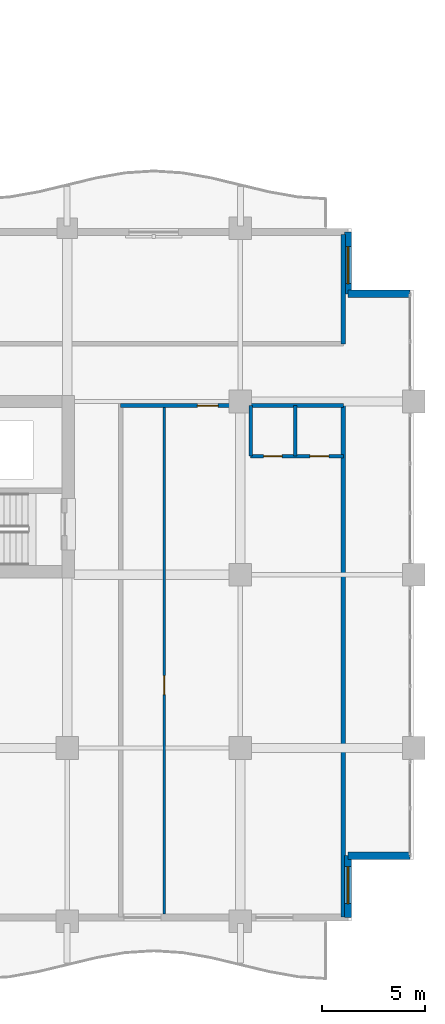
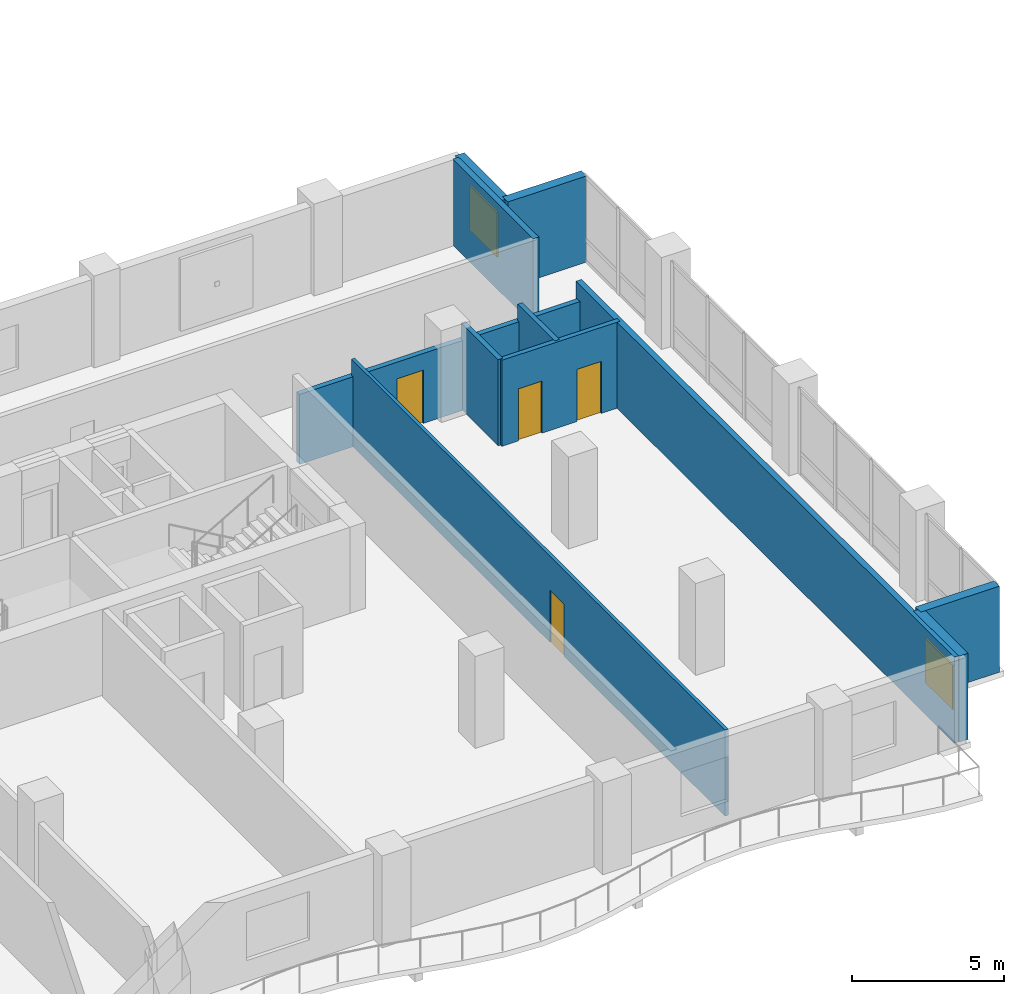
# One storey, part 13 of 20: 11 walls, 4 doors, 2 windows, 6 openings.
"""IFC4 building model written with IfcOpenShell, lengths in metres."""

from ifc_helpers import new_model, si_unit, direction, frame, frame_2d, origin, place, context, subcontext, project, spatial, rectangle, extrude, material, layer, layer_set, type_object, element, fill, save


model = new_model("IFC4")

# Units and contexts
model_context = context("Model", 3, precision=1e-05, world=origin(), true_north=direction((0.0, 1.0)))
body_context = subcontext(model_context, "Body", "Model", "MODEL_VIEW")
ifc_project = project(units=[si_unit("LENGTHUNIT", "METRE"), si_unit("AREAUNIT", "SQUARE_METRE"), si_unit("VOLUMEUNIT", "CUBIC_METRE"), si_unit("PLANEANGLEUNIT", "RADIAN"), si_unit("MASSUNIT", "GRAM", prefix="KILO")], contexts=[model_context])

# Site, building, storey
site_placement = place(None, origin())
site = spatial("IfcSite", under=ifc_project, at=site_placement, CompositionType="ELEMENT")
building_placement = place(site_placement, origin())
building = spatial("IfcBuilding", under=site, at=building_placement, Name="Koriwani Terraces Tower", CompositionType="ELEMENT")
storey_placement = place(building_placement, frame((0.0, 0.0, 212.39990234375)))
storey = spatial("IfcBuildingStorey", under=building, at=storey_placement, Name="L52", CompositionType="ELEMENT", Elevation=212.39990234375)

# Wall, opening, door
ifc_material_1 = material(Name="Autoclaved Cellular Concrete Blockwork", Category="masonry")
ifc_layer_1 = layer(ifc_material_1, 0.199951171875, Name="Autoclaved Cellular Concrete Blockwork")
ifc_layer_set_1 = layer_set([ifc_layer_1], Name="Autoclaved Cellular Concrete Blockwork")
wall_type_1 = type_object("IfcWallType", Name="WALL_CORRIDOR_200", PredefinedType="PARTITIONING", material=ifc_layer_set_1)
wall_1_placement = place(storey_placement, frame((61.39990234375, 25.0, 0.0), z_axis=(0.0, 0.0, 1.0), x_axis=(1.0, 0.0, 0.0)))
wall_1 = element("IfcWall", 1, at=wall_1_placement, inside=storey, type_object=wall_type_1, Name="L52 Interior Wall WRCOR-L52-SE-0", PredefinedType="PARTITIONING", context=body_context, shape_type="SweptSolid", body=[
    extrude(rectangle(XDim=10.800048828125, YDim=0.199951171875, at=frame_2d((5.39990234375, 0.0))), origin(), (0.0, 0.0, 1.0), 2.820068359375),
])
opening_1_placement = place(wall_1_placement, frame((3.719970703125, 0.0, 0.0)))
opening_1 = element("IfcOpeningElement", 2, at=opening_1_placement, cuts=wall_1, Name="Opening D-05", PredefinedType="OPENING", context=body_context, shape_type="SweptSolid", body=[
    extrude(rectangle(XDim=1.0, YDim=2.14990234375, at=frame_2d((0.5, 1.074951171875))), frame((0.0, 0.10986328125, 0.0), z_axis=(0.0, -1.0, 0.0), x_axis=(1.0, 0.0, 0.0)), (0.0, 0.0, 1.0), 0.219970703125),
])
ifc_material_2 = material(Name="Architectural Oak Fire Door", Category="wood")
door_type_1 = type_object("IfcDoorType", Name="DOOR_SUITE_ENTRY_1000X2150", OperationType="NOTDEFINED", PredefinedType="DOOR", material=ifc_material_2)
door_1_placement = place(opening_1_placement, origin())
door_1 = element("IfcDoor", 3, at=door_1_placement, inside=storey, type_object=door_type_1, Name="Apartment 52SE1 Entrance Door", OperationType="SINGLE_SWING_RIGHT", OverallHeight=2.14990234375, OverallWidth=1.0, PredefinedType="DOOR", context=body_context, shape_type="SweptSolid", body=[
    extrude(rectangle(XDim=1.0, YDim=2.14990234375, at=frame_2d((0.5, 1.074951171875))), frame((0.0, 0.02490234375, 0.0), z_axis=(0.0, -1.0, 0.0), x_axis=(1.0, 0.0, 0.0)), (0.0, 0.0, 1.0), 0.050048828125),
])
fill(opening_1, door_1)

# Walls
ifc_layer_2 = layer(ifc_material_1, 0.219970703125, Name="Autoclaved Cellular Concrete Blockwork")
ifc_layer_set_2 = layer_set([ifc_layer_2], Name="Autoclaved Cellular Concrete Blockwork")
wall_type_2 = type_object("IfcWallType", Name="WALL_DEMISING_220", PredefinedType="PARTITIONING", material=ifc_layer_set_2)
wall_2_placement = place(storey_placement, frame((72.199951171875, 0.199951171875, 0.0), z_axis=(0.0, 0.0, 1.0), x_axis=(0.0, 1.0, 0.0)))
element("IfcWall", 4, at=wall_2_placement, inside=storey, type_object=wall_type_2, Name="L52 Interior Wall WRDEME-L52-SE", PredefinedType="PARTITIONING", context=body_context, shape_type="SweptSolid", body=[
    extrude(rectangle(XDim=24.97998046875, YDim=0.219970703125, at=frame_2d((12.489990234375, 0.0))), origin(), (0.0, 0.0, 1.0), 3.47021484375),
])
wall_3_placement = place(storey_placement, frame((72.199951171875, 28.0, 0.0), z_axis=(0.0, 0.0, 1.0), x_axis=(0.0, 1.0, 0.0)))
element("IfcWall", 5, at=wall_3_placement, inside=storey, type_object=wall_type_2, Name="L52 Interior Wall WSEC-E-L52", PredefinedType="PARTITIONING", context=body_context, shape_type="SweptSolid", body=[
    extrude(rectangle(XDim=5.300048828125, YDim=0.219970703125, at=frame_2d((2.64990234375, 0.0))), origin(), (0.0, 0.0, 1.0), 3.47021484375),
])

# Wall, opening, window
ifc_material_3 = material(Name="Concrete C50/60", Category="concrete")
ifc_layer_3 = layer(ifc_material_3, 0.35009765625, Name="Concrete C50/60")
ifc_layer_set_3 = layer_set([ifc_layer_3], Name="Concrete C50/60")
wall_type_3 = type_object("IfcWallType", Name="WALL_EXT_BRUTALIST_350", PredefinedType="STANDARD", material=ifc_layer_set_3)
wall_4_placement = place(storey_placement, frame((72.425048828125, 33.425048828125, 0.0), z_axis=(0.0, 0.0, 1.0), x_axis=(0.0, -1.0, 0.0)))
wall_4 = element("IfcWall", 6, at=wall_4_placement, inside=storey, type_object=wall_type_3, Name="L52 Fair-Faced Brutalist Exterior Wall (N10)", PredefinedType="STANDARD", context=body_context, shape_type="SweptSolid", body=[
    extrude(rectangle(XDim=3.0, YDim=0.35009765625, at=frame_2d((1.5, 0.0))), origin(), (0.0, 0.0, 1.0), 3.47021484375),
])
opening_2_placement = place(wall_4_placement, frame((0.71240234375, 0.0, 0.85009765625)))
opening_2 = element("IfcOpeningElement", 7, at=opening_2_placement, cuts=wall_4, Name="Opening W-04", PredefinedType="OPENING", context=body_context, shape_type="SweptSolid", body=[
    extrude(rectangle(XDim=1.800048828125, YDim=1.800048828125, at=frame_2d((0.89990234375, 0.89990234375))), frame((0.0, 0.18505859375, 0.0), z_axis=(0.0, -1.0, 0.0), x_axis=(1.0, 0.0, 0.0)), (0.0, 0.0, 1.0), 0.3701171875),
])
ifc_material_4 = material(Name="Tempered Laminated Low-E Glass", Category="glass")
window_type = type_object("IfcWindowType", Name="WIN_RES_BED_1800X1800", PartitioningType="DOUBLE_PANEL_VERTICAL", PredefinedType="WINDOW", material=ifc_material_4)
window_1_placement = place(opening_2_placement, origin())
window_1 = element("IfcWindow", 8, at=window_1_placement, inside=storey, type_object=window_type, Name="L52 Exterior Window (N10-R51)", OverallHeight=1.800048828125, OverallWidth=1.800048828125, PartitioningType="SINGLE_PANEL", PredefinedType="WINDOW", context=body_context, shape_type="SweptSolid", body=[
    extrude(rectangle(XDim=1.800048828125, YDim=1.800048828125, at=frame_2d((0.89990234375, 0.89990234375))), frame((0.0, 0.030029296875, 0.0), z_axis=(0.0, -1.0, 0.0), x_axis=(1.0, 0.0, 0.0)), (0.0, 0.0, 1.0), 0.06005859375),
])
fill(opening_2, window_1)

# Walls
for number, where, z_axis, x_axis, name in (
    (9, (72.425048828125, 30.425048828125, 0.0), (0.0, 0.0, 1.0), (1.0, 0.0, 0.0), "L52 Fair-Faced Brutalist Exterior Wall (N11)"),
    (10, (75.425048828125, 3.175048828125, 0.0), (0.0, 0.0, 1.0), (-1.0, 0.0, 0.0), "L52 Fair-Faced Brutalist Exterior Wall (N13)"),
):
    element("IfcWall", number, at=place(storey_placement, frame(where, z_axis=z_axis, x_axis=x_axis)), inside=storey, type_object=wall_type_3, Name=name, PredefinedType="STANDARD", context=body_context, shape_type="SweptSolid", body=[
        extrude(rectangle(XDim=3.0, YDim=0.35009765625, at=frame_2d((1.5, 0.0))), origin(), (0.0, 0.0, 1.0), 3.47021484375),
    ])

# Wall, opening, window
wall_5_placement = place(storey_placement, frame((72.425048828125, 3.175048828125, 0.0), z_axis=(0.0, 0.0, 1.0), x_axis=(0.0, -1.0, 0.0)))
wall_5 = element("IfcWall", 11, at=wall_5_placement, inside=storey, type_object=wall_type_3, Name="L52 Fair-Faced Brutalist Exterior Wall (N14)", PredefinedType="STANDARD", context=body_context, shape_type="SweptSolid", body=[
    extrude(rectangle(XDim=3.0, YDim=0.35009765625, at=frame_2d((1.5, 0.0))), origin(), (0.0, 0.0, 1.0), 3.47021484375),
])
opening_3_placement = place(wall_5_placement, frame((0.5224609375, 0.0, 0.85009765625)))
opening_3 = element("IfcOpeningElement", 12, at=opening_3_placement, cuts=wall_5, Name="Opening W-04", PredefinedType="OPENING", context=body_context, shape_type="SweptSolid", body=[
    extrude(rectangle(XDim=1.800048828125, YDim=1.800048828125, at=frame_2d((0.89990234375, 0.89990234375))), frame((0.0, 0.18505859375, 0.0), z_axis=(0.0, -1.0, 0.0), x_axis=(1.0, 0.0, 0.0)), (0.0, 0.0, 1.0), 0.3701171875),
])
window_2_placement = place(opening_3_placement, origin())
window_2 = element("IfcWindow", 13, at=window_2_placement, inside=storey, type_object=window_type, Name="L52 Exterior Window (N14-R50)", OverallHeight=1.800048828125, OverallWidth=1.800048828125, PartitioningType="SINGLE_PANEL", PredefinedType="WINDOW", context=body_context, shape_type="SweptSolid", body=[
    extrude(rectangle(XDim=1.800048828125, YDim=1.800048828125, at=frame_2d((0.89990234375, 0.89990234375))), frame((0.0, 0.030029296875, 0.0), z_axis=(0.0, -1.0, 0.0), x_axis=(1.0, 0.0, 0.0)), (0.0, 0.0, 1.0), 0.06005859375),
])
fill(opening_3, window_2)

# Wall, opening, door
ifc_material_5 = material(Name="Fire-Rated Acoustic Gypsum Partition", Category="masonry")
ifc_layer_4 = layer(ifc_material_5, 0.125, Name="Fire-Rated Acoustic Gypsum Partition")
ifc_layer_set_4 = layer_set([ifc_layer_4], Name="Fire-Rated Acoustic Gypsum Partition")
wall_type_4 = type_object("IfcWallType", Name="WALL_INT_125", PredefinedType="PARTITIONING", material=ifc_layer_set_4)
wall_6_placement = place(storey_placement, frame((63.5, 0.35009765625, 0.0), z_axis=(0.0, 0.0, 1.0), x_axis=(0.0, 1.0, 0.0)))
wall_6 = element("IfcWall", 14, at=wall_6_placement, inside=storey, type_object=wall_type_4, Name="L52 Interior Wall WRBED1-L52-SE-0", PredefinedType="PARTITIONING", context=body_context, shape_type="SweptSolid", body=[
    extrude(rectangle(XDim=24.64990234375, YDim=0.125, at=frame_2d((12.324951171875, 0.0))), origin(), (0.0, 0.0, 1.0), 3.47021484375),
])
opening_4_placement = place(wall_6_placement, frame((10.639892578125, 0.0, 0.0)))
opening_4 = element("IfcOpeningElement", 15, at=opening_4_placement, cuts=wall_6, Name="Opening D-06", PredefinedType="OPENING", context=body_context, shape_type="SweptSolid", body=[
    extrude(rectangle(XDim=0.919921875, YDim=2.10009765625, at=frame_2d((0.4599609375, 1.050048828125))), frame((0.0, 0.072509765625, 0.0), z_axis=(0.0, -1.0, 0.0), x_axis=(1.0, 0.0, 0.0)), (0.0, 0.0, 1.0), 0.14501953125),
])
door_type_2 = type_object("IfcDoorType", Name="DOOR_ROOM_INT_920X2100", OperationType="NOTDEFINED", PredefinedType="DOOR", material=ifc_material_2)
door_2_placement = place(opening_4_placement, origin())
door_2 = element("IfcDoor", 16, at=door_2_placement, inside=storey, type_object=door_type_2, Name="Apartment 52SE1 Master Bedroom Door", OperationType="SINGLE_SWING_LEFT", OverallHeight=2.10009765625, OverallWidth=0.919921875, PredefinedType="DOOR", context=body_context, shape_type="SweptSolid", body=[
    extrude(rectangle(XDim=0.919921875, YDim=2.10009765625, at=frame_2d((0.4599609375, 1.050048828125))), frame((0.0, 0.02490234375, 0.0), z_axis=(0.0, -1.0, 0.0), x_axis=(1.0, 0.0, 0.0)), (0.0, 0.0, 1.0), 0.050048828125),
])
fill(opening_4, door_2)

# Wall, openings, doors
ifc_layer_5 = layer(ifc_material_5, 0.179931640625, Name="Fire-Rated Acoustic Gypsum Partition")
ifc_layer_set_5 = layer_set([ifc_layer_5], Name="Fire-Rated Acoustic Gypsum Partition")
wall_type_5 = type_object("IfcWallType", Name="WALL_PLUMBING_180", PredefinedType="PLUMBINGWALL", material=ifc_layer_set_5)
wall_7_placement = place(storey_placement, frame((67.699951171875, 22.550048828125, 0.0), z_axis=(0.0, 0.0, 1.0), x_axis=(1.0, 0.0, 0.0)))
wall_7 = element("IfcWall", 17, at=wall_7_placement, inside=storey, type_object=wall_type_5, Name="L52 Interior Wall WRSVC-L52-SE-0", PredefinedType="PLUMBINGWALL", context=body_context, shape_type="SweptSolid", body=[
    extrude(rectangle(XDim=4.5, YDim=0.179931640625, at=frame_2d((2.25, 0.0))), origin(), (0.0, 0.0, 1.0), 3.47021484375),
])
opening_5_placement = place(wall_7_placement, frame((0.6298828125, 0.0, 0.0)))
opening_5 = element("IfcOpeningElement", 18, at=opening_5_placement, cuts=wall_7, Name="Opening D-07", PredefinedType="OPENING", context=body_context, shape_type="SweptSolid", body=[
    extrude(rectangle(XDim=0.89990234375, YDim=2.10009765625, at=frame_2d((0.449951171875, 1.050048828125))), frame((0.0, 0.10009765625, 0.0), z_axis=(0.0, -1.0, 0.0), x_axis=(1.0, 0.0, 0.0)), (0.0, 0.0, 1.0), 0.199951171875),
])
opening_6_placement = place(wall_7_placement, frame((2.8701171875, 0.0, 0.0)))
opening_6 = element("IfcOpeningElement", 19, at=opening_6_placement, cuts=wall_7, Name="Opening D-06", PredefinedType="OPENING", context=body_context, shape_type="SweptSolid", body=[
    extrude(rectangle(XDim=0.919921875, YDim=2.10009765625, at=frame_2d((0.4599609375, 1.050048828125))), frame((0.0, 0.10009765625, 0.0), z_axis=(0.0, -1.0, 0.0), x_axis=(1.0, 0.0, 0.0)), (0.0, 0.0, 1.0), 0.199951171875),
])
door_type_3 = type_object("IfcDoorType", Name="DOOR_BATH_INT_900X2100", OperationType="NOTDEFINED", PredefinedType="DOOR", material=ifc_material_2)
door_3_placement = place(opening_5_placement, origin())
door_3 = element("IfcDoor", 20, at=door_3_placement, inside=storey, type_object=door_type_3, Name="Apartment 52SE1 Bathroom Door", OperationType="SINGLE_SWING_LEFT", OverallHeight=2.10009765625, OverallWidth=0.89990234375, PredefinedType="DOOR", context=body_context, shape_type="SweptSolid", body=[
    extrude(rectangle(XDim=0.89990234375, YDim=2.10009765625, at=frame_2d((0.449951171875, 1.050048828125))), frame((0.0, 0.02490234375, 0.0), z_axis=(0.0, -1.0, 0.0), x_axis=(1.0, 0.0, 0.0)), (0.0, 0.0, 1.0), 0.050048828125),
])
fill(opening_5, door_3)
door_4_placement = place(opening_6_placement, origin())
door_4 = element("IfcDoor", 21, at=door_4_placement, inside=storey, type_object=door_type_2, Name="Apartment 52SE1 Kitchen Door", OperationType="SINGLE_SWING_RIGHT", OverallHeight=2.10009765625, OverallWidth=0.919921875, PredefinedType="DOOR", context=body_context, shape_type="SweptSolid", body=[
    extrude(rectangle(XDim=0.919921875, YDim=2.10009765625, at=frame_2d((0.4599609375, 1.050048828125))), frame((0.0, 0.02490234375, 0.0), z_axis=(0.0, -1.0, 0.0), x_axis=(1.0, 0.0, 0.0)), (0.0, 0.0, 1.0), 0.050048828125),
])
fill(opening_6, door_4)

# Walls
for number, where, z_axis, x_axis, name in (
    (22, (67.699951171875, 22.550048828125, 0.0), (0.0, 0.0, 1.0), (0.0, 1.0, 0.0), "L52 Interior Wall WRSVCS-L52-SE-0"),
    (23, (69.860107421875, 22.550048828125, 0.0), (0.0, 0.0, 1.0), (0.0, 1.0, 0.0), "L52 Interior Wall WRSVCM-L52-SE-0"),
):
    element("IfcWall", number, at=place(storey_placement, frame(where, z_axis=z_axis, x_axis=x_axis)), inside=storey, type_object=wall_type_5, Name=name, PredefinedType="PLUMBINGWALL", context=body_context, shape_type="SweptSolid", body=[
        extrude(rectangle(XDim=2.449951171875, YDim=0.179931640625, at=frame_2d((1.22509765625, 0.0))), origin(), (0.0, 0.0, 1.0), 3.47021484375),
    ])

save(model, "model.ifc")
